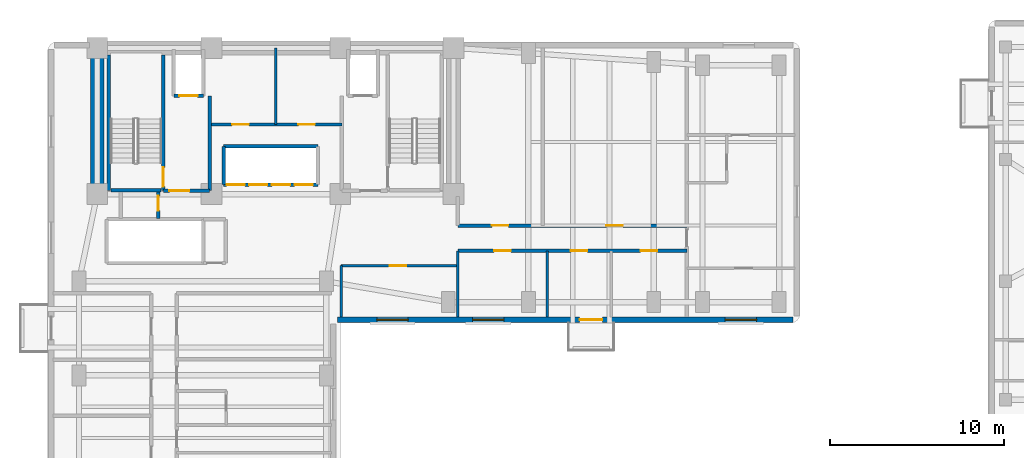
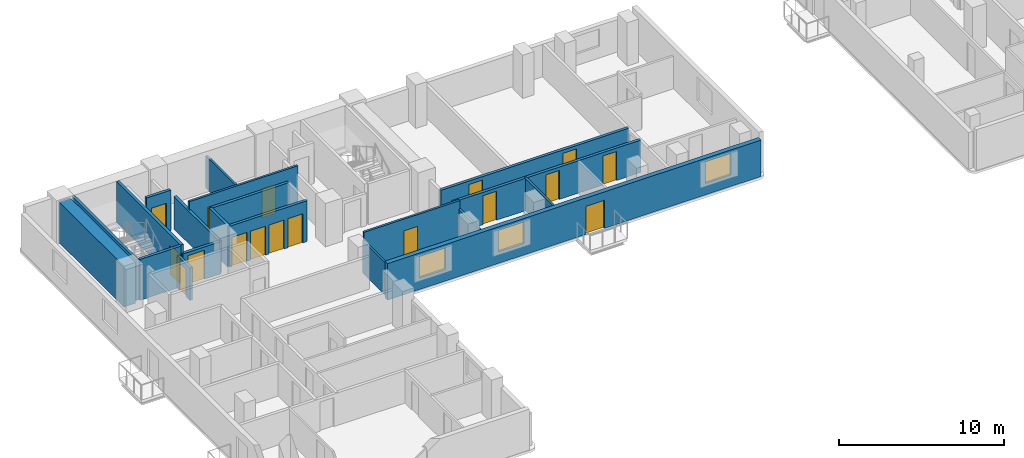
# One storey, part 4 of 9: 20 walls, 17 doors, 3 windows, 20 openings.
"""IFC4 building model written with IfcOpenShell, lengths in metres."""

from ifc_helpers import new_model, si_unit, direction, frame, frame_2d, origin, place, context, subcontext, project, spatial, rectangle, extrude, material, layer, layer_set, type_object, element, fill, save


model = new_model("IFC4")

# Units and contexts
model_context = context("Model", 3, precision=1e-05, world=origin(), true_north=direction((0.0, 1.0)))
body_context = subcontext(model_context, "Body", "Model", "MODEL_VIEW")
ifc_project = project(units=[si_unit("LENGTHUNIT", "METRE"), si_unit("AREAUNIT", "SQUARE_METRE"), si_unit("VOLUMEUNIT", "CUBIC_METRE"), si_unit("PLANEANGLEUNIT", "RADIAN"), si_unit("MASSUNIT", "GRAM", prefix="KILO")], contexts=[model_context])

# Site, building, storey
site_placement = place(None, origin())
site = spatial("IfcSite", under=ifc_project, at=site_placement, CompositionType="ELEMENT")
building_placement = place(site_placement, origin())
building = spatial("IfcBuilding", under=site, at=building_placement, Name="Kuzgunbayir Cultural Tower", CompositionType="ELEMENT")
storey_placement = place(building_placement, frame((0.0, 0.0, 89.800048828125)))
storey = spatial("IfcBuildingStorey", under=building, at=storey_placement, Name="L25", CompositionType="ELEMENT", Elevation=89.800048828125)

# Wall
ifc_material_1 = material(Name="Concrete C60/75", Category="concrete")
ifc_layer_1 = layer(ifc_material_1, 0.800048828125)
ifc_layer_set_1 = layer_set([ifc_layer_1], Name="Concrete C60/75")
wall_type_1 = type_object("IfcWallType", Name="WAL-CORE-800", PredefinedType="SHEAR", material=ifc_layer_set_1)
wall_1_placement = place(storey_placement, frame((6.449951171875, 33.800048828125, 0.0), z_axis=(0.0, 0.0, 1.0), x_axis=(0.0, 1.0, 0.0)))
element("IfcWall", 1, at=wall_1_placement, inside=storey, type_object=wall_type_1, Name="L25 T1 Core West Shear Wall", PredefinedType="SHEAR", context=body_context, shape_type="SweptSolid", body=[
    extrude(rectangle(XDim=7.949951171875, YDim=0.800048828125, at=frame_2d((3.97509765625, 0.0))), origin(), (0.0, 0.0, 1.0), 3.02001953125),
])

# Wall, openings, door, windows
ifc_material_2 = material(Name="Travertine Buff Ashlar", Category="masonry")
ifc_layer_2 = layer(ifc_material_2, 0.320068359375)
ifc_layer_set_2 = layer_set([ifc_layer_2], Name="Travertine Buff Ashlar")
wall_type_2 = type_object("IfcWallType", Name="WAL-EXT-STONE-320", PredefinedType="STANDARD", material=ifc_layer_set_2)
wall_2_placement = place(storey_placement, frame((20.25, 26.60009765625, 0.0), z_axis=(0.0, 0.0, 1.0), x_axis=(1.0, 0.0, 0.0)))
wall_2 = element("IfcWall", 2, at=wall_2_placement, inside=storey, type_object=wall_type_2, Name="L25 Wing B South Limestone Wall", PredefinedType="STANDARD", context=body_context, shape_type="SweptSolid", body=[
    extrude(rectangle(XDim=26.14990234375, YDim=0.320068359375, at=frame_2d((13.074951171875, 0.0))), origin(), (0.0, 0.0, 1.0), 2.699951171875),
])
opening_1_placement = place(wall_2_placement, frame((13.89990234375, 0.0, 0.0)))
opening_1 = element("IfcOpeningElement", 3, at=opening_1_placement, cuts=wall_2, Name="Opening BD-13", PredefinedType="OPENING", context=body_context, shape_type="SweptSolid", body=[
    extrude(rectangle(XDim=1.300048828125, YDim=2.080078125, at=frame_2d((0.64990234375, 1.0400390625))), frame((0.0, 0.169921875, 0.0), z_axis=(0.0, -1.0, 0.0), x_axis=(1.0, 0.0, 0.0)), (0.0, 0.0, 1.0), 0.340087890625),
])
opening_2_placement = place(wall_2_placement, frame((2.25, 0.0, 0.85009765625)))
opening_2 = element("IfcOpeningElement", 4, at=opening_2_placement, cuts=wall_2, Name="Opening WH-18", PredefinedType="OPENING", context=body_context, shape_type="SweptSolid", body=[
    extrude(rectangle(XDim=1.800048828125, YDim=1.60009765625, at=frame_2d((0.89990234375, 0.800048828125))), frame((0.0, 0.169921875, 0.0), z_axis=(0.0, -1.0, 0.0), x_axis=(1.0, 0.0, 0.0)), (0.0, 0.0, 1.0), 0.340087890625),
])
opening_3_placement = place(wall_2_placement, frame((7.75, 0.0, 0.85009765625)))
opening_3 = element("IfcOpeningElement", 5, at=opening_3_placement, cuts=wall_2, Name="Opening WH-18", PredefinedType="OPENING", context=body_context, shape_type="SweptSolid", body=[
    extrude(rectangle(XDim=1.800048828125, YDim=1.60009765625, at=frame_2d((0.89990234375, 0.800048828125))), frame((0.0, 0.169921875, 0.0), z_axis=(0.0, -1.0, 0.0), x_axis=(1.0, 0.0, 0.0)), (0.0, 0.0, 1.0), 0.340087890625),
])
opening_4_placement = place(wall_2_placement, frame((22.25, 0.0, 0.85009765625)))
opening_4 = element("IfcOpeningElement", 6, at=opening_4_placement, cuts=wall_2, Name="Opening WH-18", PredefinedType="OPENING", context=body_context, shape_type="SweptSolid", body=[
    extrude(rectangle(XDim=1.800048828125, YDim=1.60009765625, at=frame_2d((0.89990234375, 0.800048828125))), frame((0.0, 0.169921875, 0.0), z_axis=(0.0, -1.0, 0.0), x_axis=(1.0, 0.0, 0.0)), (0.0, 0.0, 1.0), 0.340087890625),
])
ifc_material_3 = material(Name="Thermally Broken Glazed Aluminium", Category="aluminium")
door_type_1 = type_object("IfcDoorType", Name="DR-BALCONY-135", OperationType="SLIDING_TO_LEFT", PredefinedType="DOOR", material=ifc_material_3)
door_1_placement = place(opening_1_placement, origin())
door_1 = element("IfcDoor", 7, at=door_1_placement, inside=storey, type_object=door_type_1, Name="L25 South Balcony Sliding Door BAL-L25-WB2", OperationType="SLIDING_TO_LEFT", OverallHeight=2.080078125, OverallWidth=1.300048828125, PredefinedType="DOOR", context=body_context, shape_type="SweptSolid", body=[
    extrude(rectangle(XDim=1.300048828125, YDim=2.080078125, at=frame_2d((0.64990234375, 1.0400390625))), frame((0.0, 0.02490234375, 0.0), z_axis=(0.0, -1.0, 0.0), x_axis=(1.0, 0.0, 0.0)), (0.0, 0.0, 1.0), 0.050048828125),
])
fill(opening_1, door_1)
ifc_material_4 = material(Name="Solar-Control Triple Glazing", Category="glass")
window_type = type_object("IfcWindowType", Name="WIN-HOTEL-18", PartitioningType="SINGLE_PANEL", PredefinedType="WINDOW", material=ifc_material_4)
window_1_placement = place(opening_2_placement, origin())
window_1 = element("IfcWindow", 8, at=window_1_placement, inside=storey, type_object=window_type, Name="L25 WBS Facade Window 9", OverallHeight=1.60009765625, OverallWidth=1.800048828125, PartitioningType="SINGLE_PANEL", PredefinedType="WINDOW", context=body_context, shape_type="SweptSolid", body=[
    extrude(rectangle(XDim=1.800048828125, YDim=1.60009765625, at=frame_2d((0.89990234375, 0.800048828125))), frame((0.0, 0.030029296875, 0.0), z_axis=(0.0, -1.0, 0.0), x_axis=(1.0, 0.0, 0.0)), (0.0, 0.0, 1.0), 0.06005859375),
])
fill(opening_2, window_1)
window_2_placement = place(opening_3_placement, origin())
window_2 = element("IfcWindow", 9, at=window_2_placement, inside=storey, type_object=window_type, Name="L25 WBS Facade Window 10", OverallHeight=1.60009765625, OverallWidth=1.800048828125, PartitioningType="SINGLE_PANEL", PredefinedType="WINDOW", context=body_context, shape_type="SweptSolid", body=[
    extrude(rectangle(XDim=1.800048828125, YDim=1.60009765625, at=frame_2d((0.89990234375, 0.800048828125))), frame((0.0, 0.030029296875, 0.0), z_axis=(0.0, -1.0, 0.0), x_axis=(1.0, 0.0, 0.0)), (0.0, 0.0, 1.0), 0.06005859375),
])
fill(opening_3, window_2)
window_3_placement = place(opening_4_placement, origin())
window_3 = element("IfcWindow", 10, at=window_3_placement, inside=storey, type_object=window_type, Name="L25 WBS Facade Window 11", OverallHeight=1.60009765625, OverallWidth=1.800048828125, PartitioningType="SINGLE_PANEL", PredefinedType="WINDOW", context=body_context, shape_type="SweptSolid", body=[
    extrude(rectangle(XDim=1.800048828125, YDim=1.60009765625, at=frame_2d((0.89990234375, 0.800048828125))), frame((0.0, 0.030029296875, 0.0), z_axis=(0.0, -1.0, 0.0), x_axis=(1.0, 0.0, 0.0)), (0.0, 0.0, 1.0), 0.06005859375),
])
fill(opening_4, window_3)

# Wall, openings, doors
ifc_material_5 = material(Name="Acoustic Double-Stud Drywall", Category="gypsum")
ifc_layer_3 = layer(ifc_material_5, 0.14990234375)
ifc_layer_set_3 = layer_set([ifc_layer_3], Name="Acoustic Double-Stud Drywall")
wall_type_3 = type_object("IfcWallType", Name="WAL-PART-ACOUSTIC-150", PredefinedType="PARTITIONING", material=ifc_layer_set_3)
wall_3_placement = place(storey_placement, frame((12.89990234375, 37.800048828125, 0.0), z_axis=(0.0, 0.0, 1.0), x_axis=(1.0, 0.0, 0.0)))
wall_3 = element("IfcWall", 11, at=wall_3_placement, inside=storey, type_object=wall_type_3, Name="L25 Repurposed Core Suite Wall", PredefinedType="PARTITIONING", context=body_context, shape_type="SweptSolid", body=[
    extrude(rectangle(XDim=7.60009765625, YDim=0.14990234375, at=frame_2d((3.800048828125, 0.0))), origin(), (0.0, 0.0, 1.0), 3.02001953125),
])
opening_5_placement = place(wall_3_placement, frame((1.300048828125, 0.0, 0.0)))
opening_5 = element("IfcOpeningElement", 12, at=opening_5_placement, cuts=wall_3, Name="Opening DC-95", PredefinedType="OPENING", context=body_context, shape_type="SweptSolid", body=[
    extrude(rectangle(XDim=0.949951171875, YDim=2.14990234375, at=frame_2d((0.47509765625, 1.074951171875))), frame((0.0, 0.0849609375, 0.0), z_axis=(0.0, -1.0, 0.0), x_axis=(1.0, 0.0, 0.0)), (0.0, 0.0, 1.0), 0.169921875),
])
opening_6_placement = place(wall_3_placement, frame((5.10009765625, 0.0, 0.0)))
opening_6 = element("IfcOpeningElement", 13, at=opening_6_placement, cuts=wall_3, Name="Opening DC-95", PredefinedType="OPENING", context=body_context, shape_type="SweptSolid", body=[
    extrude(rectangle(XDim=0.949951171875, YDim=2.14990234375, at=frame_2d((0.47509765625, 1.074951171875))), frame((0.0, 0.0849609375, 0.0), z_axis=(0.0, -1.0, 0.0), x_axis=(1.0, 0.0, 0.0)), (0.0, 0.0, 1.0), 0.169921875),
])
ifc_material_6 = material(Name="Fire-Rated Veneered Oak Leaf", Category="wood")
door_type_2 = type_object("IfcDoorType", Name="DR-CORE-95", OperationType="NOTDEFINED", PredefinedType="DOOR", material=ifc_material_6)
door_2_placement = place(opening_5_placement, origin())
door_2 = element("IfcDoor", 14, at=door_2_placement, inside=storey, type_object=door_type_2, Name="L25 Focus Room Door", OperationType="SINGLE_SWING_RIGHT", OverallHeight=2.14990234375, OverallWidth=0.949951171875, PredefinedType="DOOR", context=body_context, shape_type="SweptSolid", body=[
    extrude(rectangle(XDim=0.949951171875, YDim=2.14990234375, at=frame_2d((0.47509765625, 1.074951171875))), frame((0.0, 0.02490234375, 0.0), z_axis=(0.0, -1.0, 0.0), x_axis=(1.0, 0.0, 0.0)), (0.0, 0.0, 1.0), 0.050048828125),
])
fill(opening_5, door_2)
door_3_placement = place(opening_6_placement, origin())
door_3 = element("IfcDoor", 15, at=door_3_placement, inside=storey, type_object=door_type_2, Name="L25 Core Linen Room Door", OperationType="SINGLE_SWING_LEFT", OverallHeight=2.14990234375, OverallWidth=0.949951171875, PredefinedType="DOOR", context=body_context, shape_type="SweptSolid", body=[
    extrude(rectangle(XDim=0.949951171875, YDim=2.14990234375, at=frame_2d((0.47509765625, 1.074951171875))), frame((0.0, 0.02490234375, 0.0), z_axis=(0.0, -1.0, 0.0), x_axis=(1.0, 0.0, 0.0)), (0.0, 0.0, 1.0), 0.050048828125),
])
fill(opening_6, door_3)

# Wall
wall_4_placement = place(storey_placement, frame((16.699951171875, 37.800048828125, 0.0), z_axis=(0.0, 0.0, 1.0), x_axis=(0.0, 1.0, 0.0)))
element("IfcWall", 16, at=wall_4_placement, inside=storey, type_object=wall_type_3, Name="L25 Core Study Partition", PredefinedType="PARTITIONING", context=body_context, shape_type="SweptSolid", body=[
    extrude(rectangle(XDim=4.39990234375, YDim=0.14990234375, at=frame_2d((2.199951171875, 0.0))), origin(), (0.0, 0.0, 1.0), 2.39990234375),
])

# Wall, opening, door
wall_5_placement = place(storey_placement, frame((20.449951171875, 29.699951171875, 0.0), z_axis=(0.0, 0.0, 1.0), x_axis=(1.0, 0.0, 0.0)))
wall_5 = element("IfcWall", 17, at=wall_5_placement, inside=storey, type_object=wall_type_3, Name="L25 Waist Alcove North Wall", PredefinedType="PARTITIONING", context=body_context, shape_type="SweptSolid", body=[
    extrude(rectangle(XDim=6.699951171875, YDim=0.14990234375, at=frame_2d((3.35009765625, 0.0))), origin(), (0.0, 0.0, 1.0), 3.02001953125),
])
opening_7_placement = place(wall_5_placement, frame((2.800048828125, 0.0, 0.0)))
opening_7 = element("IfcOpeningElement", 18, at=opening_7_placement, cuts=wall_5, Name="Opening DI-90", PredefinedType="OPENING", context=body_context, shape_type="SweptSolid", body=[
    extrude(rectangle(XDim=0.949951171875, YDim=2.14990234375, at=frame_2d((0.47509765625, 1.074951171875))), frame((0.0, 0.0849609375, 0.0), z_axis=(0.0, -1.0, 0.0), x_axis=(1.0, 0.0, 0.0)), (0.0, 0.0, 1.0), 0.169921875),
])
ifc_material_7 = material(Name="Veneered Oak Single Leaf", Category="wood")
door_type_3 = type_object("IfcDoorType", Name="DR-INT-90", OperationType="NOTDEFINED", PredefinedType="DOOR", material=ifc_material_7)
door_4_placement = place(opening_7_placement, origin())
door_4 = element("IfcDoor", 19, at=door_4_placement, inside=storey, type_object=door_type_3, Name="L25 Waist Alcove Door", OperationType="SINGLE_SWING_RIGHT", OverallHeight=2.14990234375, OverallWidth=0.949951171875, PredefinedType="DOOR", context=body_context, shape_type="SweptSolid", body=[
    extrude(rectangle(XDim=0.949951171875, YDim=2.14990234375, at=frame_2d((0.47509765625, 1.074951171875))), frame((0.0, 0.02490234375, 0.0), z_axis=(0.0, -1.0, 0.0), x_axis=(1.0, 0.0, 0.0)), (0.0, 0.0, 1.0), 0.050048828125),
])
fill(opening_7, door_4)

# Walls
wall_6_placement = place(storey_placement, frame((20.449951171875, 26.75, 0.0), z_axis=(0.0, 0.0, 1.0), x_axis=(0.0, 1.0, 0.0)))
element("IfcWall", 20, at=wall_6_placement, inside=storey, type_object=wall_type_3, Name="L25 Waist Alcove West Wall", PredefinedType="PARTITIONING", context=body_context, shape_type="SweptSolid", body=[
    extrude(rectangle(XDim=2.949951171875, YDim=0.14990234375, at=frame_2d((1.47509765625, 0.0))), origin(), (0.0, 0.0, 1.0), 2.39990234375),
])
for number, where, z_axis, x_axis, name in (
    (21, (27.14990234375, 26.75, 0.0), (0.0, 0.0, 1.0), (0.0, 1.0, 0.0), "L25 Waist Alcove East Wall"),
    (22, (32.280029296875, 26.75, 0.0), (0.0, 0.0, 1.0), (0.0, 1.0, 0.0), "L25 Wing B South Divider 1"),
):
    element("IfcWall", number, at=place(storey_placement, frame(where, z_axis=z_axis, x_axis=x_axis)), inside=storey, type_object=wall_type_3, Name=name, PredefinedType="PARTITIONING", context=body_context, shape_type="SweptSolid", body=[
        extrude(rectangle(XDim=3.800048828125, YDim=0.14990234375, at=frame_2d((1.89990234375, 0.0))), origin(), (0.0, 0.0, 1.0), 2.39990234375),
    ])
ifc_material_8 = material(Name="Aerated Concrete Blockwork", Category="masonry")
ifc_layer_4 = layer(ifc_material_8, 0.199951171875)
ifc_layer_set_4 = layer_set([ifc_layer_4], Name="Aerated Concrete Blockwork")
wall_type_4 = type_object("IfcWallType", Name="WAL-PART-FIRE-200", PredefinedType="PARTITIONING", material=ifc_layer_set_4)
wall_7_placement = place(storey_placement, frame((12.89990234375, 34.0, 0.0), z_axis=(0.0, 0.0, 1.0), x_axis=(0.0, 1.0, 0.0)))
element("IfcWall", 23, at=wall_7_placement, inside=storey, type_object=wall_type_4, Name="L25 FFL-1 Lobby East Fire Wall", PredefinedType="PARTITIONING", context=body_context, shape_type="SweptSolid", body=[
    extrude(rectangle(XDim=5.449951171875, YDim=0.199951171875, at=frame_2d((2.72509765625, 0.0))), origin(), (0.0, 0.0, 1.0), 2.39990234375),
])

# Wall, opening, door
wall_8_placement = place(storey_placement, frame((10.239990234375, 34.0, 0.0), z_axis=(0.0, 0.0, 1.0), x_axis=(1.0, 0.0, 0.0)))
wall_8 = element("IfcWall", 24, at=wall_8_placement, inside=storey, type_object=wall_type_4, Name="L25 FFL-1 Lobby South Fire Wall", PredefinedType="PARTITIONING", context=body_context, shape_type="SweptSolid", body=[
    extrude(rectangle(XDim=2.659912109375, YDim=0.199951171875, at=frame_2d((1.330078125, 0.0))), origin(), (0.0, 0.0, 1.0), 2.39990234375),
])
opening_8_placement = place(wall_8_placement, frame((0.35009765625, 0.0, 0.0)))
opening_8 = element("IfcOpeningElement", 25, at=opening_8_placement, cuts=wall_8, Name="Opening DR-FFL-90", PredefinedType="OPENING", context=body_context, shape_type="SweptSolid", body=[
    extrude(rectangle(XDim=1.14990234375, YDim=2.14990234375, at=frame_2d((0.574951171875, 1.074951171875))), frame((0.0, 0.10986328125, 0.0), z_axis=(0.0, -1.0, 0.0), x_axis=(1.0, 0.0, 0.0)), (0.0, 0.0, 1.0), 0.219970703125),
])
ifc_material_9 = material(Name="Steel S355J2", Category="steel")
door_type_4 = type_object("IfcDoorType", Name="DR-FFL-90", OperationType="NOTDEFINED", PredefinedType="DOOR", material=ifc_material_9)
door_5_placement = place(opening_8_placement, origin())
door_5 = element("IfcDoor", 26, at=door_5_placement, inside=storey, type_object=door_type_4, Name="L25 Firefighting Lobby 1 Door", OperationType="SINGLE_SWING_RIGHT", OverallHeight=2.14990234375, OverallWidth=1.14990234375, PredefinedType="DOOR", context=body_context, shape_type="SweptSolid", body=[
    extrude(rectangle(XDim=1.14990234375, YDim=2.14990234375, at=frame_2d((0.574951171875, 1.074951171875))), frame((0.0, 0.02490234375, 0.0), z_axis=(0.0, -1.0, 0.0), x_axis=(1.0, 0.0, 0.0)), (0.0, 0.0, 1.0), 0.050048828125),
])
fill(opening_8, door_5)

wall_9_placement = place(storey_placement, frame((9.949951171875, 32.39990234375, 0.0), z_axis=(0.0, 0.0, 1.0), x_axis=(0.0, 1.0, 0.0)))
wall_9 = element("IfcWall", 27, at=wall_9_placement, inside=storey, type_object=wall_type_4, Name="L25 West Core Electrical Closet East Wall", PredefinedType="PARTITIONING", context=body_context, shape_type="SweptSolid", body=[
    extrude(rectangle(XDim=1.52001953125, YDim=0.199951171875, at=frame_2d((0.760009765625, 0.0))), origin(), (0.0, 0.0, 1.0), 2.39990234375),
])
opening_9_placement = place(wall_9_placement, frame((0.449951171875, 0.0, 0.0)))
opening_9 = element("IfcOpeningElement", 28, at=opening_9_placement, cuts=wall_9, Name="Opening DR-RSR-60", PredefinedType="OPENING", context=body_context, shape_type="SweptSolid", body=[
    extrude(rectangle(XDim=0.85009765625, YDim=2.050048828125, at=frame_2d((0.425048828125, 1.02490234375))), frame((0.0, 0.10986328125, 0.0), z_axis=(0.0, -1.0, 0.0), x_axis=(1.0, 0.0, 0.0)), (0.0, 0.0, 1.0), 0.219970703125),
])
ifc_material_10 = material(Name="Steel Access Leaf", Category="steel")
door_type_5 = type_object("IfcDoorType", Name="DR-RISER-60", OperationType="NOTDEFINED", PredefinedType="DOOR", material=ifc_material_10)
door_6_placement = place(opening_9_placement, origin())
door_6 = element("IfcDoor", 29, at=door_6_placement, inside=storey, type_object=door_type_5, Name="L25 West Core Switchgear Closet Door", OperationType="SINGLE_SWING_LEFT", OverallHeight=2.050048828125, OverallWidth=0.85009765625, PredefinedType="DOOR", context=body_context, shape_type="SweptSolid", body=[
    extrude(rectangle(XDim=0.85009765625, YDim=2.050048828125, at=frame_2d((0.425048828125, 1.02490234375))), frame((0.0, 0.02490234375, 0.0), z_axis=(0.0, -1.0, 0.0), x_axis=(1.0, 0.0, 0.0)), (0.0, 0.0, 1.0), 0.050048828125),
])
fill(opening_9, door_6)

# Wall, openings, doors
wall_10_placement = place(storey_placement, frame((27.14990234375, 30.550048828125, 0.0), z_axis=(0.0, 0.0, 1.0), x_axis=(1.0, 0.0, 0.0)))
wall_10 = element("IfcWall", 30, at=wall_10_placement, inside=storey, type_object=wall_type_4, Name="L25 Wing B Hotel Corridor South Wall", PredefinedType="PARTITIONING", context=body_context, shape_type="SweptSolid", body=[
    extrude(rectangle(XDim=13.150146484375, YDim=0.199951171875, at=frame_2d((6.5751953125, 0.0))), origin(), (0.0, 0.0, 1.0), 2.39990234375),
])
opening_10_placement = place(wall_10_placement, frame((2.090087890625, 0.0, 0.0)))
opening_10 = element("IfcOpeningElement", 31, at=opening_10_placement, cuts=wall_10, Name="Opening DI-90", PredefinedType="OPENING", context=body_context, shape_type="SweptSolid", body=[
    extrude(rectangle(XDim=0.949951171875, YDim=2.14990234375, at=frame_2d((0.47509765625, 1.074951171875))), frame((0.0, 0.10986328125, 0.0), z_axis=(0.0, -1.0, 0.0), x_axis=(1.0, 0.0, 0.0)), (0.0, 0.0, 1.0), 0.219970703125),
])
opening_11_placement = place(wall_10_placement, frame((6.489990234375, 0.0, 0.0)))
opening_11 = element("IfcOpeningElement", 32, at=opening_11_placement, cuts=wall_10, Name="Opening DI-90", PredefinedType="OPENING", context=body_context, shape_type="SweptSolid", body=[
    extrude(rectangle(XDim=0.949951171875, YDim=2.14990234375, at=frame_2d((0.47509765625, 1.074951171875))), frame((0.0, 0.10986328125, 0.0), z_axis=(0.0, -1.0, 0.0), x_axis=(1.0, 0.0, 0.0)), (0.0, 0.0, 1.0), 0.219970703125),
])
opening_12_placement = place(wall_10_placement, frame((10.5, 0.0, 0.0)))
opening_12 = element("IfcOpeningElement", 33, at=opening_12_placement, cuts=wall_10, Name="Opening DI-90", PredefinedType="OPENING", context=body_context, shape_type="SweptSolid", body=[
    extrude(rectangle(XDim=0.949951171875, YDim=2.14990234375, at=frame_2d((0.47509765625, 1.074951171875))), frame((0.0, 0.10986328125, 0.0), z_axis=(0.0, -1.0, 0.0), x_axis=(1.0, 0.0, 0.0)), (0.0, 0.0, 1.0), 0.219970703125),
])
door_7_placement = place(opening_10_placement, origin())
door_7 = element("IfcDoor", 34, at=door_7_placement, inside=storey, type_object=door_type_3, Name="L25 Seminar Boardroom B1 Door", OperationType="SINGLE_SWING_LEFT", OverallHeight=2.14990234375, OverallWidth=0.949951171875, PredefinedType="DOOR", context=body_context, shape_type="SweptSolid", body=[
    extrude(rectangle(XDim=0.949951171875, YDim=2.14990234375, at=frame_2d((0.47509765625, 1.074951171875))), frame((0.0, 0.02490234375, 0.0), z_axis=(0.0, -1.0, 0.0), x_axis=(1.0, 0.0, 0.0)), (0.0, 0.0, 1.0), 0.050048828125),
])
fill(opening_10, door_7)
door_8_placement = place(opening_11_placement, origin())
door_8 = element("IfcDoor", 35, at=door_8_placement, inside=storey, type_object=door_type_3, Name="L25 Seminar Boardroom B2 Door", OperationType="SINGLE_SWING_RIGHT", OverallHeight=2.14990234375, OverallWidth=0.949951171875, PredefinedType="DOOR", context=body_context, shape_type="SweptSolid", body=[
    extrude(rectangle(XDim=0.949951171875, YDim=2.14990234375, at=frame_2d((0.47509765625, 1.074951171875))), frame((0.0, 0.02490234375, 0.0), z_axis=(0.0, -1.0, 0.0), x_axis=(1.0, 0.0, 0.0)), (0.0, 0.0, 1.0), 0.050048828125),
])
fill(opening_11, door_8)
door_9_placement = place(opening_12_placement, origin())
door_9 = element("IfcDoor", 36, at=door_9_placement, inside=storey, type_object=door_type_3, Name="L25 Seminar Boardroom B3 Door", OperationType="SINGLE_SWING_LEFT", OverallHeight=2.14990234375, OverallWidth=0.949951171875, PredefinedType="DOOR", context=body_context, shape_type="SweptSolid", body=[
    extrude(rectangle(XDim=0.949951171875, YDim=2.14990234375, at=frame_2d((0.47509765625, 1.074951171875))), frame((0.0, 0.02490234375, 0.0), z_axis=(0.0, -1.0, 0.0), x_axis=(1.0, 0.0, 0.0)), (0.0, 0.0, 1.0), 0.050048828125),
])
fill(opening_12, door_9)

wall_11_placement = place(storey_placement, frame((27.14990234375, 32.0, 0.0), z_axis=(0.0, 0.0, 1.0), x_axis=(1.0, 0.0, 0.0)))
wall_11 = element("IfcWall", 37, at=wall_11_placement, inside=storey, type_object=wall_type_4, Name="L25 Wing B Hotel Corridor North Wall", PredefinedType="PARTITIONING", context=body_context, shape_type="SweptSolid", body=[
    extrude(rectangle(XDim=13.150146484375, YDim=0.199951171875, at=frame_2d((6.5751953125, 0.0))), origin(), (0.0, 0.0, 1.0), 2.39990234375),
])
opening_13_placement = place(wall_11_placement, frame((1.9599609375, 0.0, 0.0)))
opening_13 = element("IfcOpeningElement", 38, at=opening_13_placement, cuts=wall_11, Name="Opening DI-90", PredefinedType="OPENING", context=body_context, shape_type="SweptSolid", body=[
    extrude(rectangle(XDim=0.949951171875, YDim=2.14990234375, at=frame_2d((0.47509765625, 1.074951171875))), frame((0.0, 0.10986328125, 0.0), z_axis=(0.0, -1.0, 0.0), x_axis=(1.0, 0.0, 0.0)), (0.0, 0.0, 1.0), 0.219970703125),
])
opening_14_placement = place(wall_11_placement, frame((8.530029296875, 0.0, 0.0)))
opening_14 = element("IfcOpeningElement", 39, at=opening_14_placement, cuts=wall_11, Name="Opening DI-90", PredefinedType="OPENING", context=body_context, shape_type="SweptSolid", body=[
    extrude(rectangle(XDim=0.949951171875, YDim=2.14990234375, at=frame_2d((0.47509765625, 1.074951171875))), frame((0.0, 0.10986328125, 0.0), z_axis=(0.0, -1.0, 0.0), x_axis=(1.0, 0.0, 0.0)), (0.0, 0.0, 1.0), 0.219970703125),
])
door_10_placement = place(opening_13_placement, origin())
door_10 = element("IfcDoor", 40, at=door_10_placement, inside=storey, type_object=door_type_3, Name="L25 North Seminar Boardroom 1 Door", OperationType="SINGLE_SWING_RIGHT", OverallHeight=2.14990234375, OverallWidth=0.949951171875, PredefinedType="DOOR", context=body_context, shape_type="SweptSolid", body=[
    extrude(rectangle(XDim=0.949951171875, YDim=2.14990234375, at=frame_2d((0.47509765625, 1.074951171875))), frame((0.0, 0.02490234375, 0.0), z_axis=(0.0, -1.0, 0.0), x_axis=(1.0, 0.0, 0.0)), (0.0, 0.0, 1.0), 0.050048828125),
])
fill(opening_13, door_10)
door_11_placement = place(opening_14_placement, origin())
door_11 = element("IfcDoor", 41, at=door_11_placement, inside=storey, type_object=door_type_3, Name="L25 North Culinary Tasting Pantry 2 Door", OperationType="SINGLE_SWING_LEFT", OverallHeight=2.14990234375, OverallWidth=0.949951171875, PredefinedType="DOOR", context=body_context, shape_type="SweptSolid", body=[
    extrude(rectangle(XDim=0.949951171875, YDim=2.14990234375, at=frame_2d((0.47509765625, 1.074951171875))), frame((0.0, 0.02490234375, 0.0), z_axis=(0.0, -1.0, 0.0), x_axis=(1.0, 0.0, 0.0)), (0.0, 0.0, 1.0), 0.050048828125),
])
fill(opening_14, door_11)

# Wall, opening, door
ifc_material_11 = material(Name="Concrete C40/50", Category="concrete")
ifc_layer_5 = layer(ifc_material_11, 0.199951171875)
ifc_layer_set_5 = layer_set([ifc_layer_5], Name="Concrete C40/50")
wall_type_5 = type_object("IfcWallType", Name="WAL-SHAFT-200", PredefinedType="MOVABLE", material=ifc_layer_set_5)
wall_12_placement = place(storey_placement, frame((10.85009765625, 39.449951171875, 0.0), z_axis=(0.0, 0.0, 1.0), x_axis=(1.0, 0.0, 0.0)))
wall_12 = element("IfcWall", 42, at=wall_12_placement, inside=storey, type_object=wall_type_5, Name="L25 FFL-1 Lift Front Wall", PredefinedType="MOVABLE", context=body_context, shape_type="SweptSolid", body=[
    extrude(rectangle(XDim=1.699951171875, YDim=0.199951171875, at=frame_2d((0.85009765625, 0.0))), origin(), (0.0, 0.0, 1.0), 3.02001953125),
])
opening_15_placement = place(wall_12_placement, frame((0.320068359375, 0.0, 0.0)))
opening_15 = element("IfcOpeningElement", 43, at=opening_15_placement, cuts=wall_12, Name="Opening LD", PredefinedType="OPENING", context=body_context, shape_type="SweptSolid", body=[
    extrude(rectangle(XDim=1.050048828125, YDim=2.14990234375, at=frame_2d((0.52490234375, 1.074951171875))), frame((0.0, 0.10986328125, 0.0), z_axis=(0.0, -1.0, 0.0), x_axis=(1.0, 0.0, 0.0)), (0.0, 0.0, 1.0), 0.219970703125),
])
ifc_material_12 = material(Name="Brushed Stainless Steel", Category="steel")
door_type_6 = type_object("IfcDoorType", Name="DR-LIFT-LANDING", OperationType="SLIDING_TO_LEFT", PredefinedType="DOOR", material=ifc_material_12)
door_12_placement = place(opening_15_placement, origin())
door_12 = element("IfcDoor", 44, at=door_12_placement, inside=storey, type_object=door_type_6, Name="L25 Lift FFL-1 Landing Door", OperationType="SLIDING_TO_LEFT", OverallHeight=2.14990234375, OverallWidth=1.050048828125, PredefinedType="DOOR", context=body_context, shape_type="SweptSolid", body=[
    extrude(rectangle(XDim=1.050048828125, YDim=2.14990234375, at=frame_2d((0.52490234375, 1.074951171875))), frame((0.0, 0.02490234375, 0.0), z_axis=(0.0, -1.0, 0.0), x_axis=(1.0, 0.0, 0.0)), (0.0, 0.0, 1.0), 0.050048828125),
])
fill(opening_15, door_12)

# Wall, openings, doors
wall_13_placement = place(storey_placement, frame((13.699951171875, 34.35009765625, 0.0), z_axis=(0.0, 0.0, 1.0), x_axis=(1.0, 0.0, 0.0)))
wall_13 = element("IfcWall", 45, at=wall_13_placement, inside=storey, type_object=wall_type_5, Name="L25 Mid-Rise Lift Front Wall", PredefinedType="MOVABLE", context=body_context, shape_type="SweptSolid", body=[
    extrude(rectangle(XDim=5.420166015625, YDim=0.199951171875, at=frame_2d((2.7099609375, 0.0))), origin(), (0.0, 0.0, 1.0), 3.02001953125),
])
opening_16_placement = place(wall_13_placement, frame((0.179931640625, 0.0, 0.0)))
opening_16 = element("IfcOpeningElement", 46, at=opening_16_placement, cuts=wall_13, Name="Opening LD", PredefinedType="OPENING", context=body_context, shape_type="SweptSolid", body=[
    extrude(rectangle(XDim=1.050048828125, YDim=2.14990234375, at=frame_2d((0.52490234375, 1.074951171875))), frame((0.0, 0.10986328125, 0.0), z_axis=(0.0, -1.0, 0.0), x_axis=(1.0, 0.0, 0.0)), (0.0, 0.0, 1.0), 0.219970703125),
])
opening_17_placement = place(wall_13_placement, frame((1.469970703125, 0.0, 0.0)))
opening_17 = element("IfcOpeningElement", 47, at=opening_17_placement, cuts=wall_13, Name="Opening LD", PredefinedType="OPENING", context=body_context, shape_type="SweptSolid", body=[
    extrude(rectangle(XDim=1.050048828125, YDim=2.14990234375, at=frame_2d((0.52490234375, 1.074951171875))), frame((0.0, 0.10986328125, 0.0), z_axis=(0.0, -1.0, 0.0), x_axis=(1.0, 0.0, 0.0)), (0.0, 0.0, 1.0), 0.219970703125),
])
opening_18_placement = place(wall_13_placement, frame((2.780029296875, 0.0, 0.0)))
opening_18 = element("IfcOpeningElement", 48, at=opening_18_placement, cuts=wall_13, Name="Opening LD", PredefinedType="OPENING", context=body_context, shape_type="SweptSolid", body=[
    extrude(rectangle(XDim=1.050048828125, YDim=2.14990234375, at=frame_2d((0.52490234375, 1.074951171875))), frame((0.0, 0.10986328125, 0.0), z_axis=(0.0, -1.0, 0.0), x_axis=(1.0, 0.0, 0.0)), (0.0, 0.0, 1.0), 0.219970703125),
])
opening_19_placement = place(wall_13_placement, frame((4.080078125, 0.0, 0.0)))
opening_19 = element("IfcOpeningElement", 49, at=opening_19_placement, cuts=wall_13, Name="Opening LD", PredefinedType="OPENING", context=body_context, shape_type="SweptSolid", body=[
    extrude(rectangle(XDim=1.050048828125, YDim=2.14990234375, at=frame_2d((0.52490234375, 1.074951171875))), frame((0.0, 0.10986328125, 0.0), z_axis=(0.0, -1.0, 0.0), x_axis=(1.0, 0.0, 0.0)), (0.0, 0.0, 1.0), 0.219970703125),
])
door_13_placement = place(opening_16_placement, origin())
door_13 = element("IfcDoor", 50, at=door_13_placement, inside=storey, type_object=door_type_6, Name="L25 Lift PM-1 Landing Door", OperationType="SLIDING_TO_LEFT", OverallHeight=2.14990234375, OverallWidth=1.050048828125, PredefinedType="DOOR", context=body_context, shape_type="SweptSolid", body=[
    extrude(rectangle(XDim=1.050048828125, YDim=2.14990234375, at=frame_2d((0.52490234375, 1.074951171875))), frame((0.0, 0.02490234375, 0.0), z_axis=(0.0, -1.0, 0.0), x_axis=(1.0, 0.0, 0.0)), (0.0, 0.0, 1.0), 0.050048828125),
])
fill(opening_16, door_13)
door_14_placement = place(opening_17_placement, origin())
door_14 = element("IfcDoor", 51, at=door_14_placement, inside=storey, type_object=door_type_6, Name="L25 Lift PM-2 Landing Door", OperationType="SLIDING_TO_LEFT", OverallHeight=2.14990234375, OverallWidth=1.050048828125, PredefinedType="DOOR", context=body_context, shape_type="SweptSolid", body=[
    extrude(rectangle(XDim=1.050048828125, YDim=2.14990234375, at=frame_2d((0.52490234375, 1.074951171875))), frame((0.0, 0.02490234375, 0.0), z_axis=(0.0, -1.0, 0.0), x_axis=(1.0, 0.0, 0.0)), (0.0, 0.0, 1.0), 0.050048828125),
])
fill(opening_17, door_14)
door_15_placement = place(opening_18_placement, origin())
door_15 = element("IfcDoor", 52, at=door_15_placement, inside=storey, type_object=door_type_6, Name="L25 Lift PM-3 Landing Door", OperationType="SLIDING_TO_LEFT", OverallHeight=2.14990234375, OverallWidth=1.050048828125, PredefinedType="DOOR", context=body_context, shape_type="SweptSolid", body=[
    extrude(rectangle(XDim=1.050048828125, YDim=2.14990234375, at=frame_2d((0.52490234375, 1.074951171875))), frame((0.0, 0.02490234375, 0.0), z_axis=(0.0, -1.0, 0.0), x_axis=(1.0, 0.0, 0.0)), (0.0, 0.0, 1.0), 0.050048828125),
])
fill(opening_18, door_15)
door_16_placement = place(opening_19_placement, origin())
door_16 = element("IfcDoor", 53, at=door_16_placement, inside=storey, type_object=door_type_6, Name="L25 Lift PM-4 Landing Door", OperationType="SLIDING_TO_LEFT", OverallHeight=2.14990234375, OverallWidth=1.050048828125, PredefinedType="DOOR", context=body_context, shape_type="SweptSolid", body=[
    extrude(rectangle(XDim=1.050048828125, YDim=2.14990234375, at=frame_2d((0.52490234375, 1.074951171875))), frame((0.0, 0.02490234375, 0.0), z_axis=(0.0, -1.0, 0.0), x_axis=(1.0, 0.0, 0.0)), (0.0, 0.0, 1.0), 0.050048828125),
])
fill(opening_19, door_16)

# Walls
wall_14_placement = place(storey_placement, frame((13.699951171875, 36.550048828125, 0.0), z_axis=(0.0, 0.0, 1.0), x_axis=(1.0, 0.0, 0.0)))
element("IfcWall", 54, at=wall_14_placement, inside=storey, type_object=wall_type_5, Name="L25 Mid-Rise Lift Shaft North Wall", PredefinedType="MOVABLE", context=body_context, shape_type="SweptSolid", body=[
    extrude(rectangle(XDim=5.420166015625, YDim=0.199951171875, at=frame_2d((2.7099609375, 0.0))), origin(), (0.0, 0.0, 1.0), 3.02001953125),
])
wall_15_placement = place(storey_placement, frame((13.699951171875, 34.35009765625, 0.0), z_axis=(0.0, 0.0, 1.0), x_axis=(0.0, 1.0, 0.0)))
element("IfcWall", 55, at=wall_15_placement, inside=storey, type_object=wall_type_5, Name="L25 Mid-Rise Lift Shaft West Wall", PredefinedType="MOVABLE", context=body_context, shape_type="SweptSolid", body=[
    extrude(rectangle(XDim=2.199951171875, YDim=0.199951171875, at=frame_2d((1.10009765625, 0.0))), origin(), (0.0, 0.0, 1.0), 3.02001953125),
])
ifc_layer_6 = layer(ifc_material_11, 0.199951171875)
ifc_layer_set_6 = layer_set([ifc_layer_6], Name="Concrete C40/50")
wall_type_6 = type_object("IfcWallType", Name="WAL-STAIR-RC-200", PredefinedType="SHEAR", material=ifc_layer_set_6)
wall_16_placement = place(storey_placement, frame((7.1201171875, 34.02001953125, 0.0), z_axis=(0.0, 0.0, 1.0), x_axis=(0.0, 1.0, 0.0)))
element("IfcWall", 56, at=wall_16_placement, inside=storey, type_object=wall_type_6, Name="L25 Stair ST-1 West Structural Wall", PredefinedType="SHEAR", context=body_context, shape_type="SweptSolid", body=[
    extrude(rectangle(XDim=7.780029296875, YDim=0.199951171875, at=frame_2d((3.89013671875, 0.0))), origin(), (0.0, 0.0, 1.0), 3.02001953125),
])

# Wall, opening, door
wall_17_placement = place(storey_placement, frame((10.239990234375, 34.02001953125, 0.0), z_axis=(0.0, 0.0, 1.0), x_axis=(0.0, 1.0, 0.0)))
wall_17 = element("IfcWall", 57, at=wall_17_placement, inside=storey, type_object=wall_type_6, Name="L25 Stair ST-1 East Structural Wall", PredefinedType="SHEAR", context=body_context, shape_type="SweptSolid", body=[
    extrude(rectangle(XDim=7.780029296875, YDim=0.199951171875, at=frame_2d((3.89013671875, 0.0))), origin(), (0.0, 0.0, 1.0), 3.02001953125),
])
opening_20_placement = place(wall_17_placement, frame((0.219970703125, 0.0, 0.0)))
opening_20 = element("IfcOpeningElement", 58, at=opening_20_placement, cuts=wall_17, Name="Opening DR-STAIR-90", PredefinedType="OPENING", context=body_context, shape_type="SweptSolid", body=[
    extrude(rectangle(XDim=1.10009765625, YDim=2.14990234375, at=frame_2d((0.550048828125, 1.074951171875))), frame((0.0, 0.10986328125, 0.0), z_axis=(0.0, -1.0, 0.0), x_axis=(1.0, 0.0, 0.0)), (0.0, 0.0, 1.0), 0.219970703125),
])
door_type_7 = type_object("IfcDoorType", Name="DR-STAIR-90", OperationType="NOTDEFINED", PredefinedType="DOOR", material=ifc_material_9)
door_17_placement = place(opening_20_placement, origin())
door_17 = element("IfcDoor", 59, at=door_17_placement, inside=storey, type_object=door_type_7, Name="L25 Stair ST-1 Fire Door", OperationType="SINGLE_SWING_LEFT", OverallHeight=2.14990234375, OverallWidth=1.10009765625, PredefinedType="DOOR", context=body_context, shape_type="SweptSolid", body=[
    extrude(rectangle(XDim=1.10009765625, YDim=2.14990234375, at=frame_2d((0.550048828125, 1.074951171875))), frame((0.0, 0.02490234375, 0.0), z_axis=(0.0, -1.0, 0.0), x_axis=(1.0, 0.0, 0.0)), (0.0, 0.0, 1.0), 0.050048828125),
])
fill(opening_20, door_17)

# Wall
wall_18_placement = place(storey_placement, frame((7.239990234375, 34.02001953125, 0.0), z_axis=(0.0, 0.0, 1.0), x_axis=(1.0, 0.0, 0.0)))
element("IfcWall", 60, at=wall_18_placement, inside=storey, type_object=wall_type_6, Name="L25 Stair ST-1 South Structural Wall", PredefinedType="SHEAR", context=body_context, shape_type="SweptSolid", body=[
    extrude(rectangle(XDim=2.880126953125, YDim=0.199951171875, at=frame_2d((1.43994140625, 0.0))), origin(), (0.0, 0.0, 1.0), 3.02001953125),
])

save(model, "model.ifc")
